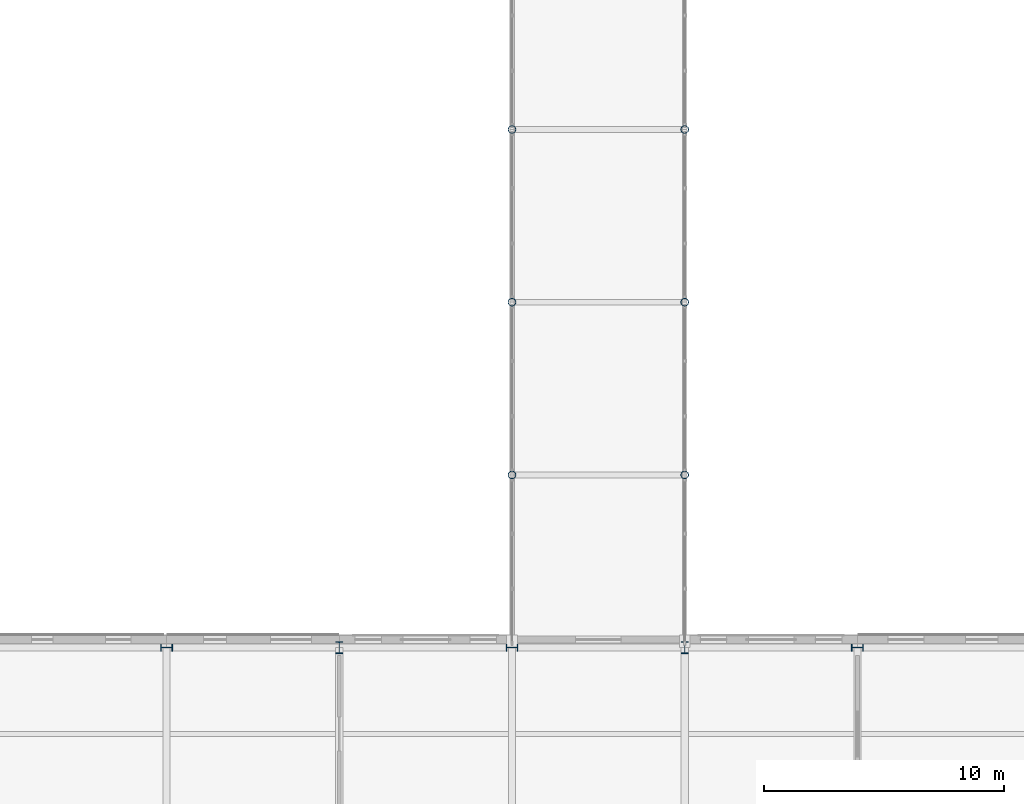
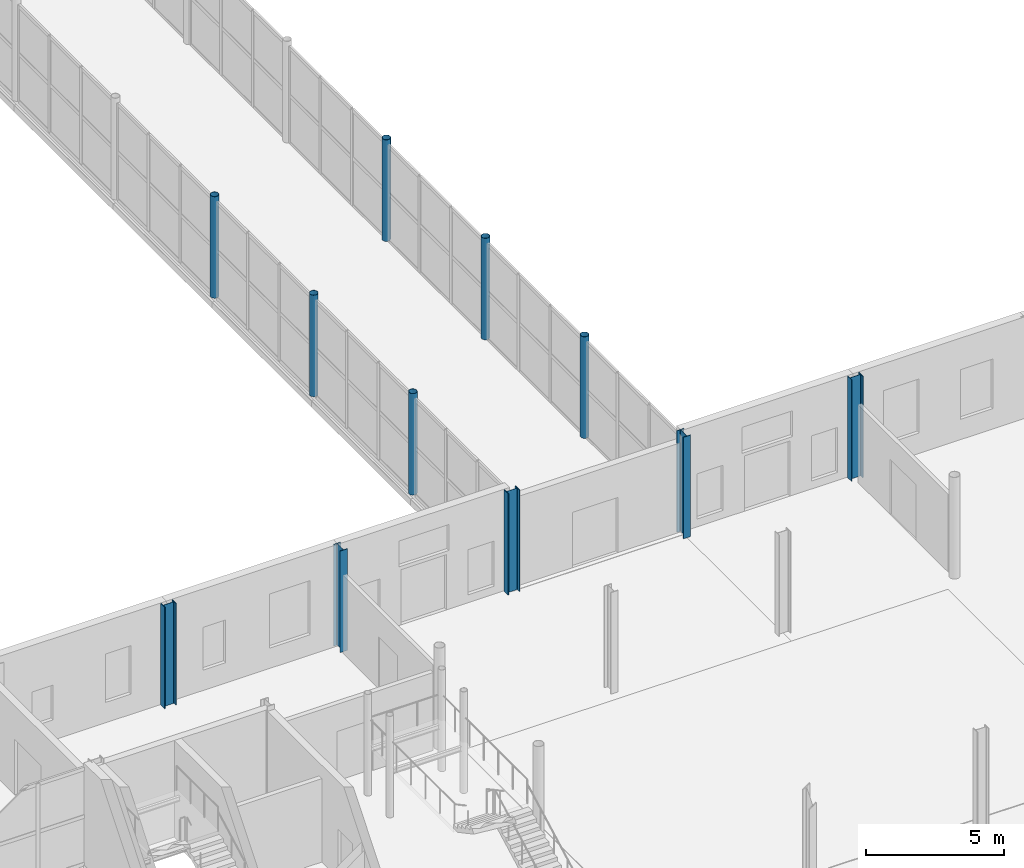
# One storey, part 8 of 92: 11 columns.
"""IFC4 building model written with IfcOpenShell, lengths in metres."""

from ifc_helpers import new_model, si_unit, direction, frame, origin, origin_2d, place, context, subcontext, project, spatial, hollow_circle, i_section, extrude, material, material_profile, profile_set, type_object, element, save


model = new_model("IFC4")

# Units and contexts
model_context = context("Model", 3, precision=1e-05, world=origin(), true_north=direction((0.0, 1.0)))
body_context = subcontext(model_context, "Body", "Model", "MODEL_VIEW")
ifc_project = project(units=[si_unit("LENGTHUNIT", "METRE"), si_unit("AREAUNIT", "SQUARE_METRE"), si_unit("VOLUMEUNIT", "CUBIC_METRE"), si_unit("PLANEANGLEUNIT", "RADIAN"), si_unit("MASSUNIT", "GRAM", prefix="KILO")], contexts=[model_context])

# Site, building, storey
site_placement = place(None, origin())
site = spatial("IfcSite", under=ifc_project, at=site_placement, CompositionType="ELEMENT")
building_placement = place(site_placement, origin())
building = spatial("IfcBuilding", under=site, at=building_placement, Name="Zlatovets Crest Museum", CompositionType="ELEMENT")
storey_placement = place(building_placement, origin())
storey = spatial("IfcBuildingStorey", under=building, at=storey_placement, Name="L00", CompositionType="ELEMENT", Elevation=0.0)

# Columns
ifc_material = material(Name="Structural steel S355J2", Category="steel")
ifc_material_profile_1 = material_profile(ifc_material, i_section(OverallWidth=0.300048828125, OverallDepth=0.5, WebThickness=0.014404296875, FlangeThickness=0.028076171875, FilletRadius=0.027099609375, at=origin_2d()), Name="HEB 500")
ifc_profile_set_1 = profile_set([ifc_material_profile_1], Name="Structural steel S355J2")
column_type_1 = type_object("IfcColumnType", Name="Col_C-05", PredefinedType="COLUMN", material=ifc_profile_set_1)
for number, where, z_axis, x_axis, name in (
    (1, (64.800048828125, 28.800048828125, 0.0), (0.0, 0.0, 1.0), (0.0, 1.0, 0.0), "V2 L00 Column (64.8, 28.8)"),
    (2, (72.0, 28.800048828125, 0.0), (0.0, 0.0, 1.0), (1.0, 0.0, 0.0), "V2 L00 Column (72.0, 28.8)"),
    (3, (79.199951171875, 28.800048828125, 0.0), (0.0, 0.0, 1.0), (0.0, 1.0, 0.0), "V2 L00 Column (79.2, 28.8)"),
    (4, (86.39990234375, 28.800048828125, 0.0), (0.0, 0.0, 1.0), (1.0, 0.0, 0.0), "V2 L00 Column (86.4, 28.8)"),
    (5, (93.60009765625, 28.800048828125, 0.0), (0.0, 0.0, 1.0), (0.0, 1.0, 0.0), "V2 L00 Column (93.6, 28.8)"),
):
    element("IfcColumn", number, at=place(storey_placement, frame(where, z_axis=z_axis, x_axis=x_axis)), inside=storey, type_object=column_type_1, Name=name, PredefinedType="COLUMN", context=body_context, shape_type="SweptSolid", body=[
        extrude(i_section(OverallWidth=0.300048828125, OverallDepth=0.5, WebThickness=0.014404296875, FlangeThickness=0.028076171875, FilletRadius=0.027099609375, at=origin_2d()), origin(), (0.0, 0.0, 1.0), 4.5),
    ])
ifc_material_profile_2 = material_profile(ifc_material, hollow_circle(Radius=0.161865234375, WallThickness=0.012451171875, at=origin_2d()), Name="CHS 323.9x12.5")
ifc_profile_set_2 = profile_set([ifc_material_profile_2], Name="Structural steel S355J2")
column_type_2 = type_object("IfcColumnType", Name="Col_C-13", PredefinedType="COLUMN", material=ifc_profile_set_2)
for number, where, z_axis, x_axis, name in (
    (6, (79.199951171875, 36.0, 0.0), (0.0, 0.0, 1.0), (1.0, 0.0, 0.0), "Central Sculpture Court Cloister and Skywalk Portal Column"),
    (7, (86.39990234375, 36.0, 0.0), (0.0, 0.0, 1.0), (1.0, 0.0, 0.0), "Central Sculpture Court Cloister and Skywalk Portal Column"),
    (8, (79.199951171875, 43.199951171875, 0.0), (0.0, 0.0, 1.0), (1.0, 0.0, 0.0), "Central Sculpture Court Cloister and Skywalk Portal Column"),
    (9, (86.39990234375, 43.199951171875, 0.0), (0.0, 0.0, 1.0), (1.0, 0.0, 0.0), "Central Sculpture Court Cloister and Skywalk Portal Column"),
    (10, (79.199951171875, 50.39990234375, 0.0), (0.0, 0.0, 1.0), (1.0, 0.0, 0.0), "Central Sculpture Court Cloister and Skywalk Portal Column"),
    (11, (86.39990234375, 50.39990234375, 0.0), (0.0, 0.0, 1.0), (1.0, 0.0, 0.0), "Central Sculpture Court Cloister and Skywalk Portal Column"),
):
    element("IfcColumn", number, at=place(storey_placement, frame(where, z_axis=z_axis, x_axis=x_axis)), inside=storey, type_object=column_type_2, Name=name, PredefinedType="COLUMN", context=body_context, shape_type="SweptSolid", body=[
        extrude(hollow_circle(Radius=0.161865234375, WallThickness=0.012451171875, at=origin_2d()), origin(), (0.0, 0.0, 1.0), 4.5),
    ])

save(model, "model.ifc")
